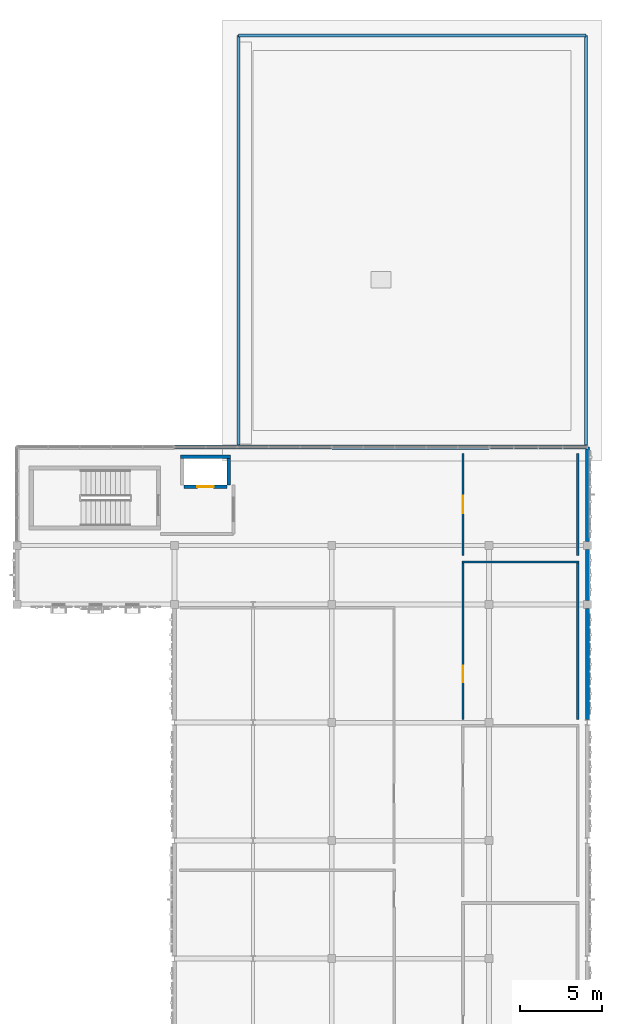
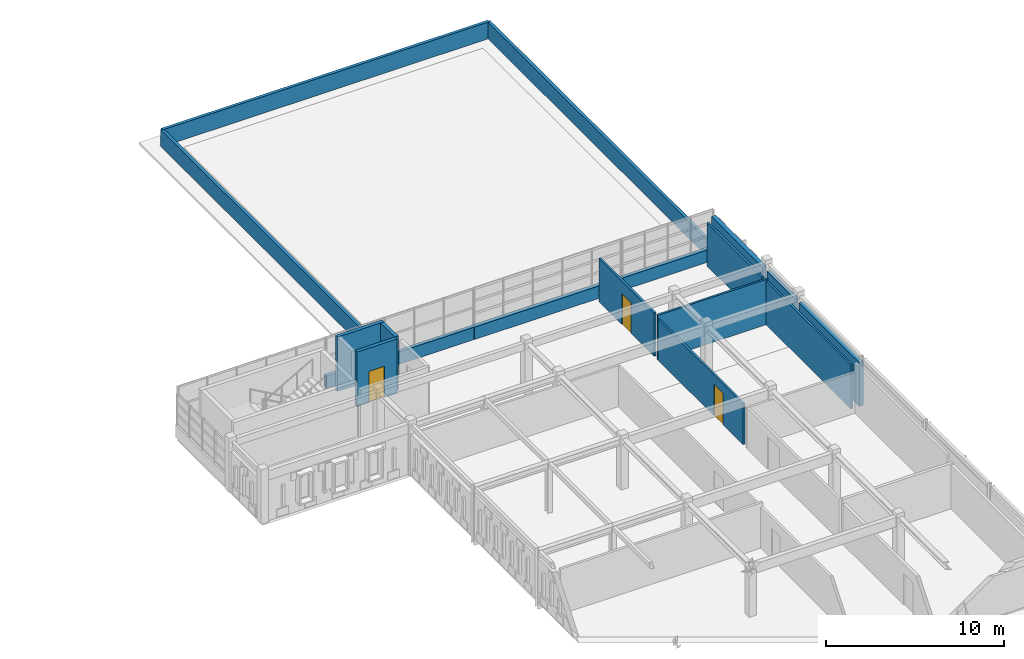
# One storey, part 32 of 53: 17 walls, 3 doors, 3 openings.
"""IFC4 building model written with IfcOpenShell, lengths in metres."""

from ifc_helpers import new_model, si_unit, direction, frame, frame_2d, origin, place, context, subcontext, project, spatial, rectangle, extrude, material, layer, layer_set, type_object, element, fill, save


model = new_model("IFC4")

# Units and contexts
model_context = context("Model", 3, precision=1e-05, world=origin(), true_north=direction((0.0, 1.0)))
body_context = subcontext(model_context, "Body", "Model", "MODEL_VIEW")
ifc_project = project(units=[si_unit("LENGTHUNIT", "METRE"), si_unit("AREAUNIT", "SQUARE_METRE"), si_unit("VOLUMEUNIT", "CUBIC_METRE"), si_unit("PLANEANGLEUNIT", "RADIAN"), si_unit("MASSUNIT", "GRAM", prefix="KILO")], contexts=[model_context])

# Site, building, storey
site_placement = place(None, origin())
site = spatial("IfcSite", under=ifc_project, at=site_placement, CompositionType="ELEMENT")
building_placement = place(site_placement, origin())
building = spatial("IfcBuilding", under=site, at=building_placement, Name="Nzembalo Square Collegiate School", CompositionType="ELEMENT")
storey_placement = place(building_placement, frame((0.0, 0.0, 13.60009765625)))
storey = spatial("IfcBuildingStorey", under=building, at=storey_placement, Name="L03", CompositionType="ELEMENT", Elevation=13.60009765625)

# Walls
ifc_material_1 = material(Name="Concrete C35/45", Category="concrete")
ifc_layer_1 = layer(ifc_material_1, 0.219970703125, Name="Concrete C35/45")
ifc_layer_set_1 = layer_set([ifc_layer_1], Name="Concrete C35/45")
wall_type_1 = type_object("IfcWallType", Name="SW08", PredefinedType="SHEAR", material=ifc_layer_set_1)
wall_1_placement = place(storey_placement, frame((143.7099609375, 86.5, 0.0), z_axis=(0.0, 0.0, 1.0), x_axis=(0.0, 1.0, 0.0)))
element("IfcWall", 1, at=wall_1_placement, inside=storey, type_object=wall_type_1, Name="Lift LF3 shaft wall E L03", PredefinedType="SHEAR", context=body_context, shape_type="SweptSolid", body=[
    extrude(rectangle(XDim=1.60009765625, YDim=0.219970703125, at=frame_2d((0.800048828125, 0.0))), origin(), (0.0, 0.0, 1.0), 3.739990234375),
])
wall_2_placement = place(storey_placement, frame((140.780029296875, 88.2099609375, 0.0), z_axis=(0.0, 0.0, 1.0), x_axis=(1.0, 0.0, 0.0)))
element("IfcWall", 2, at=wall_2_placement, inside=storey, type_object=wall_type_1, Name="Lift LF3 shaft wall N L03", PredefinedType="SHEAR", context=body_context, shape_type="SweptSolid", body=[
    extrude(rectangle(XDim=3.0400390625, YDim=0.219970703125, at=frame_2d((1.52001953125, 0.0))), origin(), (0.0, 0.0, 1.0), 3.739990234375),
])

# Wall, opening, door
wall_3_placement = place(storey_placement, frame((141.0, 86.389892578125, 0.0), z_axis=(0.0, 0.0, 1.0), x_axis=(1.0, 0.0, 0.0)))
wall_3 = element("IfcWall", 3, at=wall_3_placement, inside=storey, type_object=wall_type_1, Name="Lift LF3 landing front wall L03", PredefinedType="SHEAR", context=body_context, shape_type="SweptSolid", body=[
    extrude(rectangle(XDim=2.60009765625, YDim=0.219970703125, at=frame_2d((1.300048828125, 0.0))), origin(), (0.0, 0.0, 1.0), 3.739990234375),
])
opening_1_placement = place(wall_3_placement, frame((0.800048828125, 0.0, 0.0)))
opening_1 = element("IfcOpeningElement", 4, at=opening_1_placement, cuts=wall_3, Name="Opening LD-LF3-L03", PredefinedType="OPENING", context=body_context, shape_type="SweptSolid", body=[
    extrude(rectangle(XDim=1.0, YDim=2.14990234375, at=frame_2d((0.5, 1.074951171875))), frame((0.0, 0.1201171875, 0.0), z_axis=(0.0, -1.0, 0.0), x_axis=(1.0, 0.0, 0.0)), (0.0, 0.0, 1.0), 0.239990234375),
])
ifc_material_2 = material(Name="Stainless-steel sliding landing door", Category="steel")
door_type_1 = type_object("IfcDoorType", Name="LD02", OperationType="DOUBLE_DOOR_SLIDING", PredefinedType="DOOR", material=ifc_material_2)
door_1_placement = place(opening_1_placement, origin())
door_1 = element("IfcDoor", 5, at=door_1_placement, inside=storey, type_object=door_type_1, Name="Sliding lift landing door LD-LF3-L03", OperationType="DOUBLE_DOOR_SLIDING", OverallHeight=2.14990234375, OverallWidth=1.0, PredefinedType="DOOR", context=body_context, shape_type="SweptSolid", body=[
    extrude(rectangle(XDim=1.0, YDim=2.14990234375, at=frame_2d((0.5, 1.074951171875))), frame((0.0, 0.02490234375, 0.0), z_axis=(0.0, -1.0, 0.0), x_axis=(1.0, 0.0, 0.0)), (0.0, 0.0, 1.0), 0.050048828125),
])
fill(opening_1, door_1)

# Walls
ifc_material_3 = material(Name="Concrete C30/37", Category="concrete")
ifc_layer_2 = layer(ifc_material_3, 0.264892578125, Name="Concrete C30/37")
ifc_layer_set_2 = layer_set([ifc_layer_2], Name="Concrete C30/37")
wall_type_2 = type_object("IfcWallType", Name="W06", PredefinedType="SOLIDWALL", material=ifc_layer_set_2)
wall_4_placement = place(storey_placement, frame((150.0, 88.800048828125, 0.0), z_axis=(0.0, 0.0, 1.0), x_axis=(1.0, 0.0, 0.0)))
element("IfcWall", 6, at=wall_4_placement, inside=storey, type_object=wall_type_2, Name="Spandrel wall W06 L03", PredefinedType="SOLIDWALL", context=body_context, shape_type="SweptSolid", body=[
    extrude(rectangle(XDim=9.60009765625, YDim=0.264892578125, at=frame_2d((4.800048828125, 0.0))), origin(), (0.0, 0.0, 1.0), 0.849853515625),
])
wall_5_placement = place(storey_placement, frame((165.60009765625, 72.172119140625, 0.0), z_axis=(0.0, 0.0, 1.0), x_axis=(0.0, 1.0, 0.0)))
element("IfcWall", 7, at=wall_5_placement, inside=storey, type_object=wall_type_2, Name="Exterior wall W06 L03", PredefinedType="SOLIDWALL", context=body_context, shape_type="SweptSolid", body=[
    extrude(rectangle(XDim=6.785888671875, YDim=0.264892578125, at=frame_2d((3.39306640625, 0.0))), origin(), (0.0, 0.0, 1.0), 2.9990234375),
])
wall_6_placement = place(storey_placement, frame((165.60009765625, 83.0419921875, 0.0), z_axis=(0.0, 0.0, 1.0), x_axis=(0.0, 1.0, 0.0)))
element("IfcWall", 8, at=wall_6_placement, inside=storey, type_object=wall_type_2, Name="Exterior wall W06 L03", PredefinedType="SOLIDWALL", context=body_context, shape_type="SweptSolid", body=[
    extrude(rectangle(XDim=5.758056640625, YDim=0.264892578125, at=frame_2d((2.87890625, 0.0))), origin(), (0.0, 0.0, 1.0), 2.968994140625),
])
ifc_material_4 = material(Name="CLT CL24", Category="wood")
ifc_layer_3 = layer(ifc_material_4, 0.2451171875, Name="CLT CL24")
ifc_layer_set_3 = layer_set([ifc_layer_3], Name="CLT CL24")
wall_type_3 = type_object("IfcWallType", Name="W07", PredefinedType="SOLIDWALL", material=ifc_layer_set_3)
wall_7_placement = place(storey_placement, frame((140.39990234375, 88.800048828125, 0.0), z_axis=(0.0, 0.0, 1.0), x_axis=(1.0, 0.0, 0.0)))
element("IfcWall", 9, at=wall_7_placement, inside=storey, type_object=wall_type_3, Name="Spandrel wall W07 L03", PredefinedType="SOLIDWALL", context=body_context, shape_type="SweptSolid", body=[
    extrude(rectangle(XDim=9.60009765625, YDim=0.2451171875, at=frame_2d((4.800048828125, 0.0))), origin(), (0.0, 0.0, 1.0), 0.849853515625),
])
wall_8_placement = place(storey_placement, frame((159.60009765625, 88.800048828125, 0.0), z_axis=(0.0, 0.0, 1.0), x_axis=(1.0, 0.0, 0.0)))
element("IfcWall", 10, at=wall_8_placement, inside=storey, type_object=wall_type_3, Name="Spandrel wall W07 L03", PredefinedType="SOLIDWALL", context=body_context, shape_type="SweptSolid", body=[
    extrude(rectangle(XDim=6.0, YDim=0.2451171875, at=frame_2d((3.0, 0.0))), origin(), (0.0, 0.0, 1.0), 0.849853515625),
])
wall_9_placement = place(storey_placement, frame((165.60009765625, 79.44189453125, 0.0), z_axis=(0.0, 0.0, 1.0), x_axis=(0.0, 1.0, 0.0)))
element("IfcWall", 11, at=wall_9_placement, inside=storey, type_object=wall_type_3, Name="Exterior wall W07 L03", PredefinedType="SOLIDWALL", context=body_context, shape_type="SweptSolid", body=[
    extrude(rectangle(XDim=3.1162109375, YDim=0.2451171875, at=frame_2d((1.55810546875, 0.0))), origin(), (0.0, 0.0, 1.0), 2.968994140625),
])

# Wall, opening, door
ifc_material_5 = material(Name="Cement-board wet-room partition")
ifc_layer_4 = layer(ifc_material_5, 0.135009765625, Name="Cement-board wet-room partition")
ifc_layer_set_4 = layer_set([ifc_layer_4], Name="Cement-board wet-room partition")
wall_type_4 = type_object("IfcWallType", Name="W19", PredefinedType="PARTITIONING", material=ifc_layer_set_4)
wall_10_placement = place(storey_placement, frame((158.0, 82.199951171875, 0.0), z_axis=(0.0, 0.0, 1.0), x_axis=(0.0, 1.0, 0.0)))
wall_10 = element("IfcWall", 12, at=wall_10_placement, inside=storey, type_object=wall_type_4, Name="Interior partition W19 L03-035-W", PredefinedType="PARTITIONING", context=body_context, shape_type="SweptSolid", body=[
    extrude(rectangle(XDim=6.199951171875, YDim=0.135009765625, at=frame_2d((3.10009765625, 0.0))), origin(), (0.0, 0.0, 1.0), 2.968994140625),
])
opening_2_placement = place(wall_10_placement, frame((2.580078125, 0.0, 0.0)))
opening_2 = element("IfcOpeningElement", 13, at=opening_2_placement, cuts=wall_10, Name="Opening D-L03-087", PredefinedType="OPENING", context=body_context, shape_type="SweptSolid", body=[
    extrude(rectangle(XDim=1.0400390625, YDim=2.1201171875, at=frame_2d((0.52001953125, 1.06005859375))), frame((0.0, 0.07763671875, 0.0), z_axis=(0.0, -1.0, 0.0), x_axis=(1.0, 0.0, 0.0)), (0.0, 0.0, 1.0), 0.155029296875),
])
ifc_material_6 = material(Name="Accessible outward-swing WC door")
door_type_2 = type_object("IfcDoorType", Name="D09", OperationType="NOTDEFINED", PredefinedType="DOOR", material=ifc_material_6)
door_2_placement = place(opening_2_placement, origin())
door_2 = element("IfcDoor", 14, at=door_2_placement, inside=storey, type_object=door_type_2, Name="Interior door D-L03-087 (East L03 Boys', Girls' and Wheelchair Accessible WCs)", OperationType="SINGLE_SWING_LEFT", OverallHeight=2.1201171875, OverallWidth=1.0400390625, PredefinedType="DOOR", context=body_context, shape_type="SweptSolid", body=[
    extrude(rectangle(XDim=1.0400390625, YDim=2.1201171875, at=frame_2d((0.52001953125, 1.06005859375))), frame((0.0, 0.02490234375, 0.0), z_axis=(0.0, -1.0, 0.0), x_axis=(1.0, 0.0, 0.0)), (0.0, 0.0, 1.0), 0.050048828125),
])
fill(opening_2, door_2)

# Walls
wall_11_placement = place(storey_placement, frame((165.0, 82.199951171875, 0.0), z_axis=(0.0, 0.0, 1.0), x_axis=(0.0, 1.0, 0.0)))
element("IfcWall", 15, at=wall_11_placement, inside=storey, type_object=wall_type_4, Name="Interior partition W19 L03-035-E", PredefinedType="PARTITIONING", context=body_context, shape_type="SweptSolid", body=[
    extrude(rectangle(XDim=6.199951171875, YDim=0.135009765625, at=frame_2d((3.10009765625, 0.0))), origin(), (0.0, 0.0, 1.0), 2.968994140625),
])
ifc_material_7 = material(Name="Gypsum plasterboard stud")
ifc_layer_5 = layer(ifc_material_7, 0.1298828125, Name="Gypsum plasterboard stud")
ifc_layer_set_5 = layer_set([ifc_layer_5], Name="Gypsum plasterboard stud")
wall_type_5 = type_object("IfcWallType", Name="W20", PredefinedType="PARTITIONING", material=ifc_layer_set_5)
wall_12_placement = place(storey_placement, frame((157.93505859375, 81.800048828125, 0.0), z_axis=(0.0, 0.0, 1.0), x_axis=(1.0, 0.0, 0.0)))
element("IfcWall", 16, at=wall_12_placement, inside=storey, type_object=wall_type_5, Name="Interior partition W20 L03-034-N", PredefinedType="PARTITIONING", context=body_context, shape_type="SweptSolid", body=[
    extrude(rectangle(XDim=7.1298828125, YDim=0.1298828125, at=frame_2d((3.56494140625, 0.0))), origin(), (0.0, 0.0, 1.0), 3.098876953125),
])

# Wall, opening, door
wall_13_placement = place(storey_placement, frame((158.0, 72.199951171875, 0.0), z_axis=(0.0, 0.0, 1.0), x_axis=(0.0, 1.0, 0.0)))
wall_13 = element("IfcWall", 17, at=wall_13_placement, inside=storey, type_object=wall_type_5, Name="Interior partition W20 L03-034-W", PredefinedType="PARTITIONING", context=body_context, shape_type="SweptSolid", body=[
    extrude(rectangle(XDim=9.60009765625, YDim=0.1298828125, at=frame_2d((4.800048828125, 0.0))), origin(), (0.0, 0.0, 1.0), 2.808837890625),
])
opening_3_placement = place(wall_13_placement, frame((2.2451171875, 0.0, 0.0)))
opening_3 = element("IfcOpeningElement", 18, at=opening_3_placement, cuts=wall_13, Name="Opening D-L03-086", PredefinedType="OPENING", context=body_context, shape_type="SweptSolid", body=[
    extrude(rectangle(XDim=1.02001953125, YDim=2.179931640625, at=frame_2d((0.510009765625, 1.08984375))), frame((0.0, 0.074951171875, 0.0), z_axis=(0.0, -1.0, 0.0), x_axis=(1.0, 0.0, 0.0)), (0.0, 0.0, 1.0), 0.14990234375),
])
ifc_material_8 = material(Name="Faculty workroom door")
door_type_3 = type_object("IfcDoorType", Name="D16", OperationType="NOTDEFINED", PredefinedType="DOOR", material=ifc_material_8)
door_3_placement = place(opening_3_placement, origin())
door_3 = element("IfcDoor", 19, at=door_3_placement, inside=storey, type_object=door_type_3, Name="Interior door D-L03-086 (Faculty Departmental Staff Workroom L03)", OperationType="SINGLE_SWING_RIGHT", OverallHeight=2.179931640625, OverallWidth=1.02001953125, PredefinedType="DOOR", context=body_context, shape_type="SweptSolid", body=[
    extrude(rectangle(XDim=1.02001953125, YDim=2.179931640625, at=frame_2d((0.510009765625, 1.08984375))), frame((0.0, 0.02490234375, 0.0), z_axis=(0.0, -1.0, 0.0), x_axis=(1.0, 0.0, 0.0)), (0.0, 0.0, 1.0), 0.050048828125),
])
fill(opening_3, door_3)

# Walls
wall_14_placement = place(storey_placement, frame((165.0, 72.199951171875, 0.0), z_axis=(0.0, 0.0, 1.0), x_axis=(0.0, 1.0, 0.0)))
element("IfcWall", 20, at=wall_14_placement, inside=storey, type_object=wall_type_5, Name="Interior partition W20 L03-034-E", PredefinedType="PARTITIONING", context=body_context, shape_type="SweptSolid", body=[
    extrude(rectangle(XDim=9.60009765625, YDim=0.1298828125, at=frame_2d((4.800048828125, 0.0))), origin(), (0.0, 0.0, 1.0), 3.0087890625),
])
ifc_material_9 = material(Name="Concrete C30/37", Category="concrete")
ifc_layer_6 = layer(ifc_material_9, 0.18994140625, Name="Concrete C30/37")
ifc_layer_set_6 = layer_set([ifc_layer_6], Name="Concrete C30/37")
wall_type_6 = type_object("IfcWallType", Name="WP02", PredefinedType="PARAPET", material=ifc_layer_set_6)
wall_15_placement = place(storey_placement, frame((165.5, 88.89990234375, 0.0), z_axis=(0.0, 0.0, 1.0), x_axis=(0.0, 1.0, 0.0)))
element("IfcWall", 21, at=wall_15_placement, inside=storey, type_object=wall_type_6, Name="Roof parapet WP02-15", PredefinedType="PARAPET", context=body_context, shape_type="SweptSolid", body=[
    extrude(rectangle(XDim=25.0, YDim=0.18994140625, at=frame_2d((12.5, 0.0))), origin(), (0.0, 0.0, 1.0), 1.14990234375),
])
wall_16_placement = place(storey_placement, frame((165.5, 113.89990234375, 0.0), z_axis=(0.0, 0.0, 1.0), x_axis=(-1.0, 0.0, 0.0)))
element("IfcWall", 22, at=wall_16_placement, inside=storey, type_object=wall_type_6, Name="Roof parapet WP02-16", PredefinedType="PARAPET", context=body_context, shape_type="SweptSolid", body=[
    extrude(rectangle(XDim=21.199951171875, YDim=0.18994140625, at=frame_2d((10.60009765625, 0.0))), origin(), (0.0, 0.0, 1.0), 1.14990234375),
])
wall_17_placement = place(storey_placement, frame((144.300048828125, 113.89990234375, 0.0), z_axis=(0.0, 0.0, 1.0), x_axis=(0.0, -1.0, 0.0)))
element("IfcWall", 23, at=wall_17_placement, inside=storey, type_object=wall_type_6, Name="Roof parapet WP02-17", PredefinedType="PARAPET", context=body_context, shape_type="SweptSolid", body=[
    extrude(rectangle(XDim=25.0, YDim=0.18994140625, at=frame_2d((12.5, 0.0))), origin(), (0.0, 0.0, 1.0), 1.14990234375),
])

save(model, "model.ifc")
